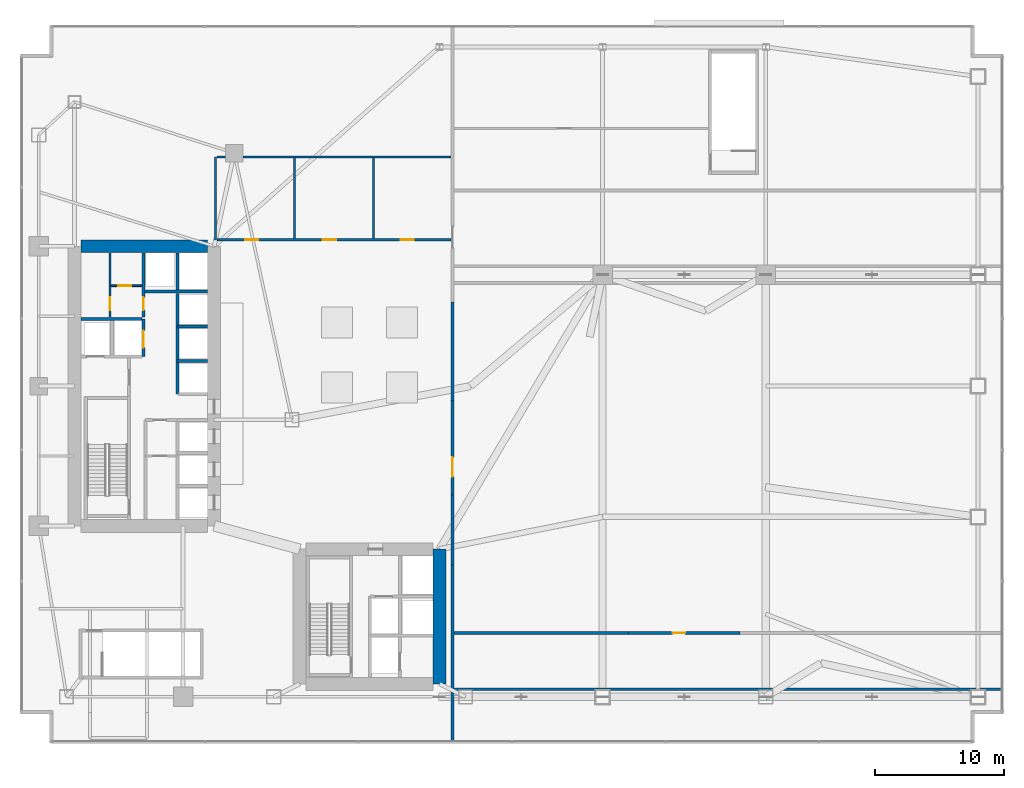
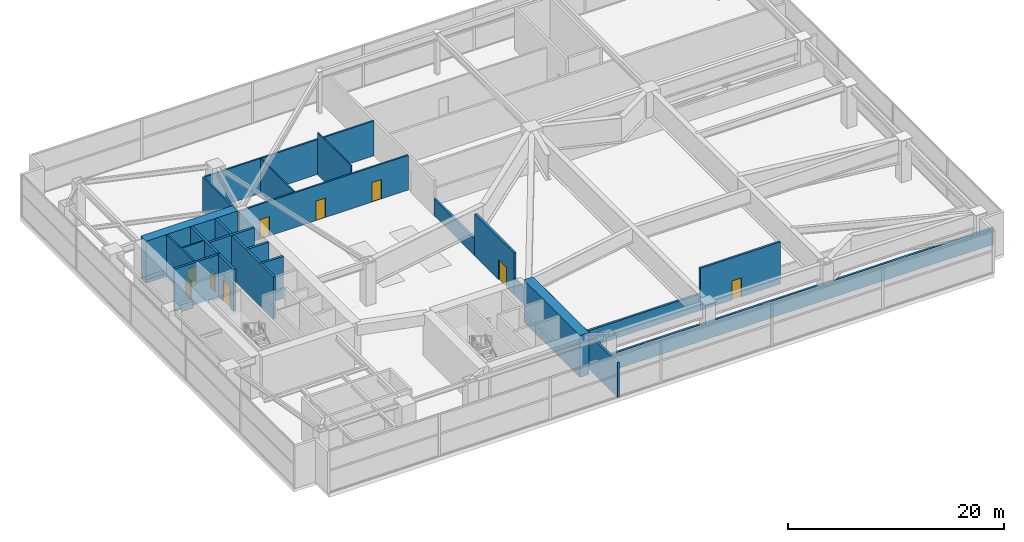
# One storey, part 32 of 36: 24 walls, 9 doors, 9 openings.
"""IFC4 building model written with IfcOpenShell, lengths in metres."""

from ifc_helpers import new_model, si_unit, direction, frame, frame_2d, origin, place, context, subcontext, project, spatial, rectangle, extrude, material, layer, layer_set, type_object, element, fill, save


model = new_model("IFC4")

# Units and contexts
model_context = context("Model", 3, precision=1e-05, world=origin(), true_north=direction((0.0, 1.0)))
body_context = subcontext(model_context, "Body", "Model", "MODEL_VIEW")
ifc_project = project(units=[si_unit("LENGTHUNIT", "METRE"), si_unit("AREAUNIT", "SQUARE_METRE"), si_unit("VOLUMEUNIT", "CUBIC_METRE"), si_unit("PLANEANGLEUNIT", "RADIAN"), si_unit("MASSUNIT", "GRAM", prefix="KILO")], contexts=[model_context])

# Site, building, storey
site_placement = place(None, origin())
site = spatial("IfcSite", under=ifc_project, at=site_placement, CompositionType="ELEMENT")
building_placement = place(site_placement, origin())
building = spatial("IfcBuilding", under=site, at=building_placement, Name="Calvorn Quay Hotel", CompositionType="ELEMENT")
storey_placement = place(building_placement, frame((0.0, 0.0, 22.0)))
storey = spatial("IfcBuildingStorey", under=building, at=storey_placement, Name="L04", CompositionType="ELEMENT", Elevation=22.0)

# Walls
ifc_material_1 = material(Name="Concrete C60", Category="concrete")
ifc_layer_1 = layer(ifc_material_1, 1.0)
ifc_layer_set_1 = layer_set([ifc_layer_1], Name="WL-CORE-1000")
wall_type_1 = type_object("IfcWallType", Name="WL-CORE-1000", PredefinedType="SHEAR", material=ifc_layer_set_1)
wall_1_placement = place(storey_placement, frame((4.699951171875, 38.39990234375, 0.0), z_axis=(0.0, 0.0, 1.0), x_axis=(1.0, 0.0, 0.0)))
element("IfcWall", 1, at=wall_1_placement, inside=storey, type_object=wall_type_1, Name="West Core Shear Wall N (L04)", PredefinedType="SHEAR", context=body_context, shape_type="SweptSolid", body=[
    extrude(rectangle(XDim=9.800048828125, YDim=1.0, at=frame_2d((4.89990234375, 0.0))), origin(), (0.0, 0.0, 1.0), 4.760009765625),
])
wall_2_placement = place(storey_placement, frame((32.39990234375, 4.60009765625, 0.0), z_axis=(0.0, 0.0, 1.0), x_axis=(0.0, 1.0, 0.0)))
element("IfcWall", 2, at=wall_2_placement, inside=storey, type_object=wall_type_1, Name="East Core Shear Wall E (L04)", PredefinedType="SHEAR", context=body_context, shape_type="SweptSolid", body=[
    extrude(rectangle(XDim=10.39990234375, YDim=1.0, at=frame_2d((5.199951171875, 0.0))), origin(), (0.0, 0.0, 1.0), 4.760009765625),
])

# Wall, openings, doors
ifc_material_2 = material(Name="Acoustic Fireboard Steel-Stud Partition", Category="steel")
ifc_layer_2 = layer(ifc_material_2, 0.179931640625)
ifc_layer_set_2 = layer_set([ifc_layer_2], Name="WL-CORR-FIRE-180")
wall_type_2 = type_object("IfcWallType", Name="WL-CORR-FIRE-180", PredefinedType="PARTITIONING", material=ifc_layer_set_2)
wall_3_placement = place(storey_placement, frame((15.199951171875, 38.89990234375, 0.0), z_axis=(0.0, 0.0, 1.0), x_axis=(1.0, 0.0, 0.0)))
wall_3 = element("IfcWall", 3, at=wall_3_placement, inside=storey, type_object=wall_type_2, Name="Partition Wall L04-WL-PWC-S", PredefinedType="PARTITIONING", context=body_context, shape_type="SweptSolid", body=[
    extrude(rectangle(XDim=18.10009765625, YDim=0.179931640625, at=frame_2d((9.050048828125, 0.0))), origin(), (0.0, 0.0, 1.0), 3.93994140625),
])
opening_1_placement = place(wall_3_placement, frame((2.199951171875, 0.0, 0.0)))
opening_1 = element("IfcOpeningElement", 4, at=opening_1_placement, cuts=wall_3, Name="Opening D-L04-WM", PredefinedType="OPENING", context=body_context, shape_type="SweptSolid", body=[
    extrude(rectangle(XDim=1.02001953125, YDim=2.199951171875, at=frame_2d((0.510009765625, 1.10009765625))), frame((0.0, 0.099853515625, 0.0), z_axis=(0.0, -1.0, 0.0), x_axis=(1.0, 0.0, 0.0)), (0.0, 0.0, 1.0), 0.199951171875),
])
opening_2_placement = place(wall_3_placement, frame((8.199951171875, 0.0, 0.0)))
opening_2 = element("IfcOpeningElement", 5, at=opening_2_placement, cuts=wall_3, Name="Opening D-L04-WF", PredefinedType="OPENING", context=body_context, shape_type="SweptSolid", body=[
    extrude(rectangle(XDim=1.02001953125, YDim=2.199951171875, at=frame_2d((0.510009765625, 1.10009765625))), frame((0.0, 0.099853515625, 0.0), z_axis=(0.0, -1.0, 0.0), x_axis=(1.0, 0.0, 0.0)), (0.0, 0.0, 1.0), 0.199951171875),
])
opening_3_placement = place(wall_3_placement, frame((14.199951171875, 0.0, 0.0)))
opening_3 = element("IfcOpeningElement", 6, at=opening_3_placement, cuts=wall_3, Name="Opening D-L04-WA", PredefinedType="OPENING", context=body_context, shape_type="SweptSolid", body=[
    extrude(rectangle(XDim=1.02001953125, YDim=2.199951171875, at=frame_2d((0.510009765625, 1.10009765625))), frame((0.0, 0.099853515625, 0.0), z_axis=(0.0, -1.0, 0.0), x_axis=(1.0, 0.0, 0.0)), (0.0, 0.0, 1.0), 0.199951171875),
])
ifc_material_3 = material(Name="Solid-Core Walnut Veneer Hotel Fire Door")
door_type_1 = type_object("IfcDoorType", Name="DR-GUEST-ENTRY-1020", OperationType="NOTDEFINED", PredefinedType="DOOR", material=ifc_material_3)
door_1_placement = place(opening_1_placement, origin())
door_1 = element("IfcDoor", 7, at=door_1_placement, inside=storey, type_object=door_type_1, Name="Male WC Door", OperationType="SINGLE_SWING_LEFT", OverallHeight=2.199951171875, OverallWidth=1.02001953125, PredefinedType="DOOR", context=body_context, shape_type="SweptSolid", body=[
    extrude(rectangle(XDim=1.02001953125, YDim=2.199951171875, at=frame_2d((0.510009765625, 1.10009765625))), frame((0.0, 0.02490234375, 0.0), z_axis=(0.0, -1.0, 0.0), x_axis=(1.0, 0.0, 0.0)), (0.0, 0.0, 1.0), 0.050048828125),
])
fill(opening_1, door_1)
door_2_placement = place(opening_2_placement, origin())
door_2 = element("IfcDoor", 8, at=door_2_placement, inside=storey, type_object=door_type_1, Name="Female WC Door", OperationType="SINGLE_SWING_RIGHT", OverallHeight=2.199951171875, OverallWidth=1.02001953125, PredefinedType="DOOR", context=body_context, shape_type="SweptSolid", body=[
    extrude(rectangle(XDim=1.02001953125, YDim=2.199951171875, at=frame_2d((0.510009765625, 1.10009765625))), frame((0.0, 0.02490234375, 0.0), z_axis=(0.0, -1.0, 0.0), x_axis=(1.0, 0.0, 0.0)), (0.0, 0.0, 1.0), 0.050048828125),
])
fill(opening_2, door_2)
door_3_placement = place(opening_3_placement, origin())
door_3 = element("IfcDoor", 9, at=door_3_placement, inside=storey, type_object=door_type_1, Name="Accessible WC Door", OperationType="SINGLE_SWING_LEFT", OverallHeight=2.199951171875, OverallWidth=1.02001953125, PredefinedType="DOOR", context=body_context, shape_type="SweptSolid", body=[
    extrude(rectangle(XDim=1.02001953125, YDim=2.199951171875, at=frame_2d((0.510009765625, 1.10009765625))), frame((0.0, 0.02490234375, 0.0), z_axis=(0.0, -1.0, 0.0), x_axis=(1.0, 0.0, 0.0)), (0.0, 0.0, 1.0), 0.050048828125),
])
fill(opening_3, door_3)

# Walls
wall_4_placement = place(storey_placement, frame((15.199951171875, 45.300048828125, 0.0), z_axis=(0.0, 0.0, 1.0), x_axis=(1.0, 0.0, 0.0)))
element("IfcWall", 10, at=wall_4_placement, inside=storey, type_object=wall_type_2, Name="Partition Wall L04-WL-PWC-N", PredefinedType="PARTITIONING", context=body_context, shape_type="SweptSolid", body=[
    extrude(rectangle(XDim=18.10009765625, YDim=0.179931640625, at=frame_2d((9.050048828125, 0.0))), origin(), (0.0, 0.0, 1.0), 3.93994140625),
])
wall_5_placement = place(storey_placement, frame((15.10009765625, 38.89990234375, 0.0), z_axis=(0.0, 0.0, 1.0), x_axis=(0.0, 1.0, 0.0)))
element("IfcWall", 11, at=wall_5_placement, inside=storey, type_object=wall_type_2, Name="Partition Wall L04-WL-PWC-W", PredefinedType="PARTITIONING", context=body_context, shape_type="SweptSolid", body=[
    extrude(rectangle(XDim=6.400146484375, YDim=0.179931640625, at=frame_2d((3.2001953125, 0.0))), origin(), (0.0, 0.0, 1.0), 3.93994140625),
])

# Wall, opening, door
ifc_material_4 = material(Name="Moisture-Resistant Tile-Backed Partition")
ifc_layer_3 = layer(ifc_material_4, 0.125)
ifc_layer_set_3 = layer_set([ifc_layer_3], Name="WL-ENSUITE-125")
wall_type_3 = type_object("IfcWallType", Name="WL-ENSUITE-125", PredefinedType="PARTITIONING", material=ifc_layer_set_3)
wall_6_placement = place(storey_placement, frame((7.050048828125, 35.35009765625, 0.0), z_axis=(0.0, 0.0, 1.0), x_axis=(1.0, 0.0, 0.0)))
wall_6 = element("IfcWall", 12, at=wall_6_placement, inside=storey, type_object=wall_type_3, Name="Partition Wall L04-WL-CWW-K-H", PredefinedType="PARTITIONING", context=body_context, shape_type="SweptSolid", body=[
    extrude(rectangle(XDim=2.369873046875, YDim=0.125, at=frame_2d((1.18505859375, 0.0))), origin(), (0.0, 0.0, 1.0), 4.760009765625),
])
opening_4_placement = place(wall_6_placement, frame((0.550048828125, 0.0, 0.0)))
opening_4 = element("IfcOpeningElement", 13, at=opening_4_placement, cuts=wall_6, Name="Opening D-L04-CK3", PredefinedType="OPENING", context=body_context, shape_type="SweptSolid", body=[
    extrude(rectangle(XDim=0.97998046875, YDim=2.14990234375, at=frame_2d((0.489990234375, 1.074951171875))), frame((0.0, 0.072509765625, 0.0), z_axis=(0.0, -1.0, 0.0), x_axis=(1.0, 0.0, 0.0)), (0.0, 0.0, 1.0), 0.14501953125),
])
ifc_material_5 = material(Name="Painted Steel Housekeeping/Riser Fire Door", Category="steel")
door_type_2 = type_object("IfcDoorType", Name="DR-SERVICE-980", OperationType="NOTDEFINED", PredefinedType="DOOR", material=ifc_material_5)
door_4_placement = place(opening_4_placement, origin())
door_4 = element("IfcDoor", 14, at=door_4_placement, inside=storey, type_object=door_type_2, Name="Telecom Closet Door (L04)", OperationType="SINGLE_SWING_RIGHT", OverallHeight=2.14990234375, OverallWidth=0.97998046875, PredefinedType="DOOR", context=body_context, shape_type="SweptSolid", body=[
    extrude(rectangle(XDim=0.97998046875, YDim=2.14990234375, at=frame_2d((0.489990234375, 1.074951171875))), frame((0.0, 0.02490234375, 0.0), z_axis=(0.0, -1.0, 0.0), x_axis=(1.0, 0.0, 0.0)), (0.0, 0.0, 1.0), 0.050048828125),
])
fill(opening_4, door_4)

# Walls
wall_7_placement = place(storey_placement, frame((21.199951171875, 39.0, 0.0), z_axis=(0.0, 0.0, 1.0), x_axis=(0.0, 1.0, 0.0)))
element("IfcWall", 15, at=wall_7_placement, inside=storey, type_object=wall_type_3, Name="Partition Wall L04-WL-PWC-D1", PredefinedType="PARTITIONING", context=body_context, shape_type="SweptSolid", body=[
    extrude(rectangle(XDim=6.199951171875, YDim=0.125, at=frame_2d((3.10009765625, 0.0))), origin(), (0.0, 0.0, 1.0), 3.93994140625),
])
wall_8_placement = place(storey_placement, frame((27.300048828125, 39.0, 0.0), z_axis=(0.0, 0.0, 1.0), x_axis=(0.0, 1.0, 0.0)))
element("IfcWall", 16, at=wall_8_placement, inside=storey, type_object=wall_type_3, Name="Partition Wall L04-WL-PWC-D2", PredefinedType="PARTITIONING", context=body_context, shape_type="SweptSolid", body=[
    extrude(rectangle(XDim=6.199951171875, YDim=0.125, at=frame_2d((3.10009765625, 0.0))), origin(), (0.0, 0.0, 1.0), 4.760009765625),
])

# Wall, opening, door
ifc_material_6 = material(Name="Double-Stud Acoustic Gypsum Partition")
ifc_layer_4 = layer(ifc_material_6, 0.159912109375)
ifc_layer_set_4 = layer_set([ifc_layer_4], Name="WL-INTERSUITE-160")
wall_type_4 = type_object("IfcWallType", Name="WL-INTERSUITE-160", PredefinedType="PARTITIONING", material=ifc_layer_set_4)
wall_9_placement = place(storey_placement, frame((6.949951171875, 32.919921875, 0.0), z_axis=(0.0, 0.0, 1.0), x_axis=(0.0, 1.0, 0.0)))
wall_9 = element("IfcWall", 17, at=wall_9_placement, inside=storey, type_object=wall_type_4, Name="Partition Wall L04-WL-CWW-K-V", PredefinedType="PARTITIONING", context=body_context, shape_type="SweptSolid", body=[
    extrude(rectangle(XDim=4.9599609375, YDim=0.159912109375, at=frame_2d((2.47998046875, 0.0))), origin(), (0.0, 0.0, 1.0), 4.760009765625),
])
opening_5_placement = place(wall_9_placement, frame((0.550048828125, 0.0, 0.0)))
opening_5 = element("IfcOpeningElement", 18, at=opening_5_placement, cuts=wall_9, Name="Opening D-L04-CK1", PredefinedType="OPENING", context=body_context, shape_type="SweptSolid", body=[
    extrude(rectangle(XDim=0.97998046875, YDim=2.14990234375, at=frame_2d((0.489990234375, 1.074951171875))), frame((0.0, 0.08984375, 0.0), z_axis=(0.0, -1.0, 0.0), x_axis=(1.0, 0.0, 0.0)), (0.0, 0.0, 1.0), 0.179931640625),
])
door_5_placement = place(opening_5_placement, origin())
door_5 = element("IfcDoor", 19, at=door_5_placement, inside=storey, type_object=door_type_2, Name="Pipe Riser Door (L04)", OperationType="SINGLE_SWING_LEFT", OverallHeight=2.14990234375, OverallWidth=0.97998046875, PredefinedType="DOOR", context=body_context, shape_type="SweptSolid", body=[
    extrude(rectangle(XDim=0.97998046875, YDim=2.14990234375, at=frame_2d((0.489990234375, 1.074951171875))), frame((0.0, 0.02490234375, 0.0), z_axis=(0.0, -1.0, 0.0), x_axis=(1.0, 0.0, 0.0)), (0.0, 0.0, 1.0), 0.050048828125),
])
fill(opening_5, door_5)

ifc_material_7 = material(Name="Autoclaved Aerated Masonry Block", Category="masonry")
ifc_layer_5 = layer(ifc_material_7, 0.219970703125)
ifc_layer_set_5 = layer_set([ifc_layer_5], Name="WL-LOBBY-FIRE-220")
wall_type_5 = type_object("IfcWallType", Name="WL-LOBBY-FIRE-220", PredefinedType="SOLIDWALL", material=ifc_layer_set_5)
wall_10_placement = place(storey_placement, frame((9.5400390625, 32.919921875, 0.0), z_axis=(0.0, 0.0, 1.0), x_axis=(0.0, 1.0, 0.0)))
wall_10 = element("IfcWall", 20, at=wall_10_placement, inside=storey, type_object=wall_type_5, Name="Partition Wall L04-WL-CWW-K-E", PredefinedType="SOLIDWALL", context=body_context, shape_type="SweptSolid", body=[
    extrude(rectangle(XDim=4.9599609375, YDim=0.219970703125, at=frame_2d((2.47998046875, 0.0))), origin(), (0.0, 0.0, 1.0), 4.760009765625),
])
opening_6_placement = place(wall_10_placement, frame((0.550048828125, 0.0, 0.0)))
opening_6 = element("IfcOpeningElement", 21, at=opening_6_placement, cuts=wall_10, Name="Opening D-L04-CK2", PredefinedType="OPENING", context=body_context, shape_type="SweptSolid", body=[
    extrude(rectangle(XDim=0.97998046875, YDim=2.14990234375, at=frame_2d((0.489990234375, 1.074951171875))), frame((0.0, 0.119873046875, 0.0), z_axis=(0.0, -1.0, 0.0), x_axis=(1.0, 0.0, 0.0)), (0.0, 0.0, 1.0), 0.239990234375),
])
door_6_placement = place(opening_6_placement, origin())
door_6 = element("IfcDoor", 22, at=door_6_placement, inside=storey, type_object=door_type_2, Name="Valet Closet Door (L04)", OperationType="SINGLE_SWING_LEFT", OverallHeight=2.14990234375, OverallWidth=0.97998046875, PredefinedType="DOOR", context=body_context, shape_type="SweptSolid", body=[
    extrude(rectangle(XDim=0.97998046875, YDim=2.14990234375, at=frame_2d((0.489990234375, 1.074951171875))), frame((0.0, 0.02490234375, 0.0), z_axis=(0.0, -1.0, 0.0), x_axis=(1.0, 0.0, 0.0)), (0.0, 0.0, 1.0), 0.050048828125),
])
fill(opening_6, door_6)

# Walls
wall_11_placement = place(storey_placement, frame((33.39990234375, 4.179931640625, 0.0), z_axis=(0.0, 0.0, 1.0), x_axis=(1.0, 0.0, 0.0)))
element("IfcWall", 23, at=wall_11_placement, inside=storey, type_object=wall_type_5, Name="Partition Wall L04-WL-L04-WTR1-N", PredefinedType="SOLIDWALL", context=body_context, shape_type="SweptSolid", body=[
    extrude(rectangle(XDim=42.47998046875, YDim=0.219970703125, at=frame_2d((21.239990234375, 0.0))), origin(), (0.0, 0.0, 1.0), 1.889892578125),
])
wall_12_placement = place(storey_placement, frame((33.39990234375, 0.06005859375, 0.0), z_axis=(0.0, 0.0, 1.0), x_axis=(0.0, 1.0, 0.0)))
element("IfcWall", 24, at=wall_12_placement, inside=storey, type_object=wall_type_5, Name="Partition Wall L04-WL-L04-FT-W1S", PredefinedType="SOLIDWALL", context=body_context, shape_type="SweptSolid", body=[
    extrude(rectangle(XDim=13.739990234375, YDim=0.219970703125, at=frame_2d((6.8701171875, 0.0))), origin(), (0.0, 0.0, 1.0), 3.93994140625),
])
wall_13_placement = place(storey_placement, frame((33.39990234375, 13.800048828125, 0.0), z_axis=(0.0, 0.0, 1.0), x_axis=(0.0, 1.0, 0.0)))
element("IfcWall", 25, at=wall_13_placement, inside=storey, type_object=wall_type_5, Name="Partition Wall L04-WL-L04-FT-W1M", PredefinedType="SOLIDWALL", context=body_context, shape_type="SweptSolid", body=[
    extrude(rectangle(XDim=5.39990234375, YDim=0.219970703125, at=frame_2d((2.699951171875, 0.0))), origin(), (0.0, 0.0, 1.0), 1.889892578125),
])

# Wall, opening, door
wall_14_placement = place(storey_placement, frame((33.39990234375, 19.199951171875, 0.0), z_axis=(0.0, 0.0, 1.0), x_axis=(0.0, 1.0, 0.0)))
wall_14 = element("IfcWall", 26, at=wall_14_placement, inside=storey, type_object=wall_type_5, Name="Partition Wall L04-WL-L04-FT-W1N", PredefinedType="SOLIDWALL", context=body_context, shape_type="SweptSolid", body=[
    extrude(rectangle(XDim=7.300048828125, YDim=0.219970703125, at=frame_2d((3.64990234375, 0.0))), origin(), (0.0, 0.0, 1.0), 4.760009765625),
])
opening_7_placement = place(wall_14_placement, frame((1.39990234375, 0.0, 0.0)))
opening_7 = element("IfcOpeningElement", 27, at=opening_7_placement, cuts=wall_14, Name="Opening D-L04-02", PredefinedType="OPENING", context=body_context, shape_type="SweptSolid", body=[
    extrude(rectangle(XDim=1.5, YDim=2.219970703125, at=frame_2d((0.75, 1.10986328125))), frame((0.0, 0.119873046875, 0.0), z_axis=(0.0, -1.0, 0.0), x_axis=(1.0, 0.0, 0.0)), (0.0, 0.0, 1.0), 0.239990234375),
])
ifc_material_8 = material(Name="Solid-Core Walnut Double Suite Entry Door")
door_type_3 = type_object("IfcDoorType", Name="DR-SUITE-DBL-1500", OperationType="NOTDEFINED", PredefinedType="DOOR", material=ifc_material_8)
door_7_placement = place(opening_7_placement, origin())
door_7 = element("IfcDoor", 28, at=door_7_placement, inside=storey, type_object=door_type_3, Name="Fitness Pavilion Door", OperationType="SINGLE_SWING_RIGHT", OverallHeight=2.219970703125, OverallWidth=1.5, PredefinedType="DOOR", context=body_context, shape_type="SweptSolid", body=[
    extrude(rectangle(XDim=1.5, YDim=2.219970703125, at=frame_2d((0.75, 1.10986328125))), frame((0.0, 0.02490234375, 0.0), z_axis=(0.0, -1.0, 0.0), x_axis=(1.0, 0.0, 0.0)), (0.0, 0.0, 1.0), 0.050048828125),
])
fill(opening_7, door_7)

# Walls
wall_15_placement = place(storey_placement, frame((33.39990234375, 26.5, 0.0), z_axis=(0.0, 0.0, 1.0), x_axis=(0.0, 1.0, 0.0)))
element("IfcWall", 29, at=wall_15_placement, inside=storey, type_object=wall_type_5, Name="Partition Wall L04-WL-L04-FT-W2", PredefinedType="SOLIDWALL", context=body_context, shape_type="SweptSolid", body=[
    extrude(rectangle(XDim=7.60009765625, YDim=0.219970703125, at=frame_2d((3.800048828125, 0.0))), origin(), (0.0, 0.0, 1.0), 1.889892578125),
])
wall_16_placement = place(storey_placement, frame((33.52001953125, 8.52001953125, 0.0), z_axis=(0.0, 0.0, 1.0), x_axis=(1.0, 0.0, 0.0)))
element("IfcWall", 30, at=wall_16_placement, inside=storey, type_object=wall_type_5, Name="Partition Wall L04-WL-L04-FT-S1", PredefinedType="SOLIDWALL", context=body_context, shape_type="SweptSolid", body=[
    extrude(rectangle(XDim=13.47998046875, YDim=0.219970703125, at=frame_2d((6.739990234375, 0.0))), origin(), (0.0, 0.0, 1.0), 1.889892578125),
])

# Wall, opening, door
wall_17_placement = place(storey_placement, frame((47.0, 8.52001953125, 0.0), z_axis=(0.0, 0.0, 1.0), x_axis=(1.0, 0.0, 0.0)))
wall_17 = element("IfcWall", 31, at=wall_17_placement, inside=storey, type_object=wall_type_5, Name="Partition Wall L04-WL-L04-FT-SD", PredefinedType="SOLIDWALL", context=body_context, shape_type="SweptSolid", body=[
    extrude(rectangle(XDim=8.60009765625, YDim=0.219970703125, at=frame_2d((4.300048828125, 0.0))), origin(), (0.0, 0.0, 1.0), 4.760009765625),
])
opening_8_placement = place(wall_17_placement, frame((3.39990234375, 0.0, 0.0)))
opening_8 = element("IfcOpeningElement", 32, at=opening_8_placement, cuts=wall_17, Name="Opening D-L04-01", PredefinedType="OPENING", context=body_context, shape_type="SweptSolid", body=[
    extrude(rectangle(XDim=0.97998046875, YDim=2.14990234375, at=frame_2d((0.489990234375, 1.074951171875))), frame((0.0, 0.119873046875, 0.0), z_axis=(0.0, -1.0, 0.0), x_axis=(1.0, 0.0, 0.0)), (0.0, 0.0, 1.0), 0.239990234375),
])
door_8_placement = place(opening_8_placement, origin())
door_8 = element("IfcDoor", 33, at=door_8_placement, inside=storey, type_object=door_type_2, Name="South Truss Plant Door", OperationType="SINGLE_SWING_LEFT", OverallHeight=2.14990234375, OverallWidth=0.97998046875, PredefinedType="DOOR", context=body_context, shape_type="SweptSolid", body=[
    extrude(rectangle(XDim=0.97998046875, YDim=2.14990234375, at=frame_2d((0.489990234375, 1.074951171875))), frame((0.0, 0.02490234375, 0.0), z_axis=(0.0, -1.0, 0.0), x_axis=(1.0, 0.0, 0.0)), (0.0, 0.0, 1.0), 0.050048828125),
])
fill(opening_8, door_8)

# Walls
ifc_material_9 = material(Name="Concrete C40", Category="concrete")
ifc_layer_6 = layer(ifc_material_9, 0.239990234375)
ifc_layer_set_6 = layer_set([ifc_layer_6], Name="WL-SHAFT-240")
wall_type_6 = type_object("IfcWallType", Name="WL-SHAFT-240", PredefinedType="SOLIDWALL", material=ifc_layer_set_6)
for number, where, z_axis, x_axis, name in (
    (34, (12.179931640625, 29.550048828125, 0.0), (0.0, 0.0, 1.0), (1.0, 0.0, 0.0), "Lift Hoistway Divider Wall PLM12 (L04)"),
    (35, (12.179931640625, 32.199951171875, 0.0), (0.0, 0.0, 1.0), (1.0, 0.0, 0.0), "Lift Hoistway Divider Wall PLM23 (L04)"),
):
    element("IfcWall", number, at=place(storey_placement, frame(where, z_axis=z_axis, x_axis=x_axis)), inside=storey, type_object=wall_type_6, Name=name, PredefinedType="SOLIDWALL", context=body_context, shape_type="SweptSolid", body=[
        extrude(rectangle(XDim=2.320068359375, YDim=0.239990234375, at=frame_2d((1.16015625, 0.0))), origin(), (0.0, 0.0, 1.0), 4.760009765625),
    ])

# Wall, opening, door
wall_18_placement = place(storey_placement, frame((9.5400390625, 29.8798828125, 0.0), z_axis=(0.0, 0.0, 1.0), x_axis=(0.0, 1.0, 0.0)))
wall_18 = element("IfcWall", 36, at=wall_18_placement, inside=storey, type_object=wall_type_6, Name="Partition Wall L04-WL-CWW-SLW-E", PredefinedType="SOLIDWALL", context=body_context, shape_type="SweptSolid", body=[
    extrude(rectangle(XDim=2.900146484375, YDim=0.239990234375, at=frame_2d((1.4501953125, 0.0))), origin(), (0.0, 0.0, 1.0), 4.760009765625),
])
opening_9_placement = place(wall_18_placement, frame((0.699951171875, 0.0, 0.0)))
opening_9 = element("IfcOpeningElement", 37, at=opening_9_placement, cuts=wall_18, Name="Opening LD-L04-SLW1", PredefinedType="OPENING", context=body_context, shape_type="SweptSolid", body=[
    extrude(rectangle(XDim=1.300048828125, YDim=2.35009765625, at=frame_2d((0.64990234375, 1.175048828125))), frame((0.0, 0.1298828125, 0.0), z_axis=(0.0, -1.0, 0.0), x_axis=(1.0, 0.0, 0.0)), (0.0, 0.0, 1.0), 0.260009765625),
])
ifc_material_10 = material(Name="Champagne-Bronze Sliding Express Lift Landing Door")
door_type_4 = type_object("IfcDoorType", Name="DR-LIFT-SHUTTLE-1300", OperationType="NOTDEFINED", PredefinedType="DOOR", material=ifc_material_10)
door_9_placement = place(opening_9_placement, origin())
door_9 = element("IfcDoor", 38, at=door_9_placement, inside=storey, type_object=door_type_4, Name="Service Lift SL-W1 Landing Door (L04)", OperationType="DOUBLE_DOOR_SLIDING", OverallHeight=2.35009765625, OverallWidth=1.300048828125, PredefinedType="DOOR", context=body_context, shape_type="SweptSolid", body=[
    extrude(rectangle(XDim=1.300048828125, YDim=2.35009765625, at=frame_2d((0.64990234375, 1.175048828125))), frame((0.0, 0.02490234375, 0.0), z_axis=(0.0, -1.0, 0.0), x_axis=(1.0, 0.0, 0.0)), (0.0, 0.0, 1.0), 0.050048828125),
])
fill(opening_9, door_9)

# Walls
wall_19_placement = place(storey_placement, frame((4.719970703125, 32.780029296875, 0.0), z_axis=(0.0, 0.0, 1.0), x_axis=(1.0, 0.0, 0.0)))
element("IfcWall", 39, at=wall_19_placement, inside=storey, type_object=wall_type_6, Name="Partition Wall L04-WL-CWW-SLW-N", PredefinedType="SOLIDWALL", context=body_context, shape_type="SweptSolid", body=[
    extrude(rectangle(XDim=4.699951171875, YDim=0.239990234375, at=frame_2d((2.35009765625, 0.0))), origin(), (0.0, 0.0, 1.0), 4.760009765625),
])
wall_20_placement = place(storey_placement, frame((12.14990234375, 27.0, 0.0), z_axis=(0.0, 0.0, 1.0), x_axis=(0.0, 1.0, 0.0)))
element("IfcWall", 40, at=wall_20_placement, inside=storey, type_object=wall_type_6, Name="Partition Wall L04-WL-CWW-PLM-W", PredefinedType="SOLIDWALL", context=body_context, shape_type="SweptSolid", body=[
    extrude(rectangle(XDim=7.75, YDim=0.239990234375, at=frame_2d((3.875, 0.0))), origin(), (0.0, 0.0, 1.0), 4.760009765625),
])
wall_21_placement = place(storey_placement, frame((9.659912109375, 34.89990234375, 0.0), z_axis=(0.0, 0.0, 1.0), x_axis=(1.0, 0.0, 0.0)))
element("IfcWall", 41, at=wall_21_placement, inside=storey, type_object=wall_type_6, Name="Partition Wall L04-WL-CWW-PLH-S", PredefinedType="SOLIDWALL", context=body_context, shape_type="SweptSolid", body=[
    extrude(rectangle(XDim=4.820068359375, YDim=0.239990234375, at=frame_2d((2.41015625, 0.0))), origin(), (0.0, 0.0, 1.0), 4.760009765625),
])
wall_22_placement = place(storey_placement, frame((12.14990234375, 35.02001953125, 0.0), z_axis=(0.0, 0.0, 1.0), x_axis=(0.0, 1.0, 0.0)))
element("IfcWall", 42, at=wall_22_placement, inside=storey, type_object=wall_type_6, Name="Partition Wall L04-WL-CWW-PLH-DIV", PredefinedType="SOLIDWALL", context=body_context, shape_type="SweptSolid", body=[
    extrude(rectangle(XDim=2.85986328125, YDim=0.239990234375, at=frame_2d((1.429931640625, 0.0))), origin(), (0.0, 0.0, 1.0), 4.760009765625),
])

save(model, "model.ifc")
